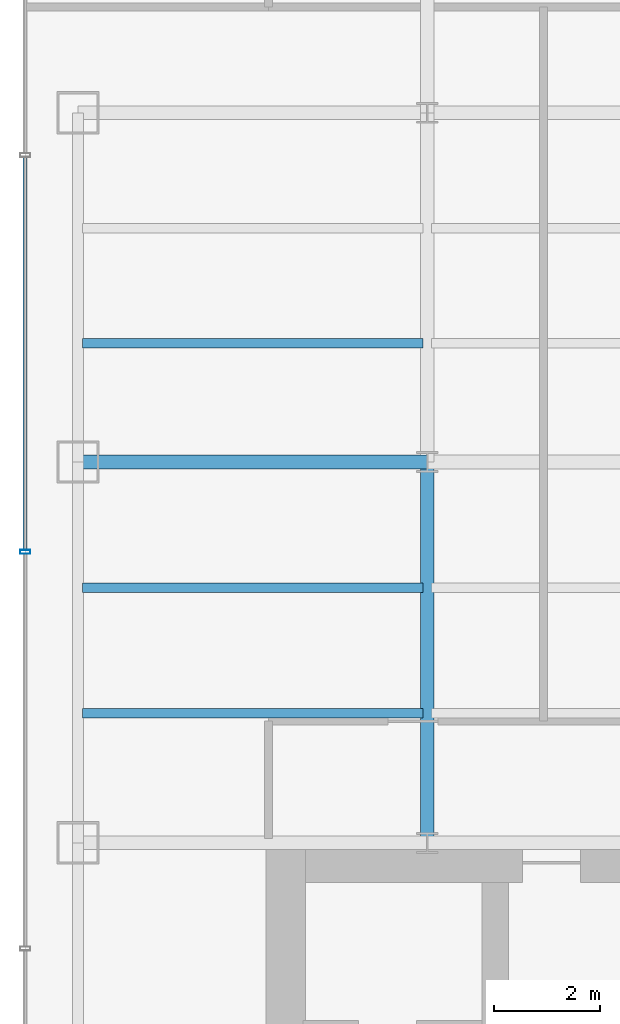
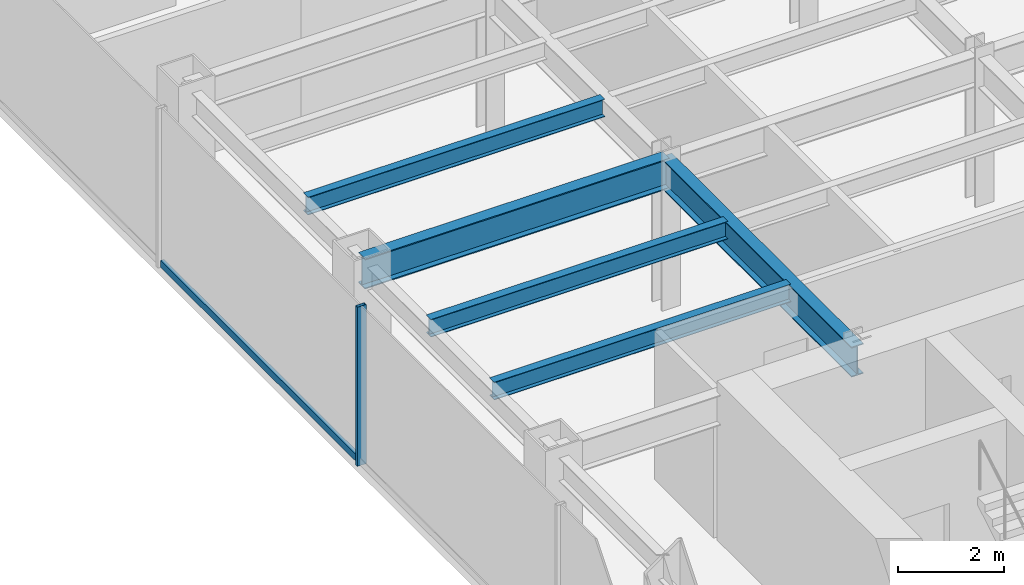
# One storey, part 4 of 26: 5 beams, 2 members, 1 element without a shape of its own.
"""IFC4 building model written with IfcOpenShell, lengths in metres."""

from ifc_helpers import new_model, si_unit, derived_unit, direction, frame, origin, origin_2d, place, context, subcontext, project, spatial, hollow_rectangle, i_section, extrude, source, transform, mapped, material, material_profile, profile_set, type_object, element, aggregate, save


model = new_model("IFC4")

# Units and contexts
model_context = context("Model", 3, precision=1e-05, world=origin(), true_north=direction((0.0, 1.0)))
body_context = subcontext(model_context, "Body", "Model", "MODEL_VIEW")
ifc_project = project(units=[si_unit("LENGTHUNIT", "METRE"), si_unit("AREAUNIT", "SQUARE_METRE"), si_unit("VOLUMEUNIT", "CUBIC_METRE"), si_unit("PLANEANGLEUNIT", "RADIAN"), si_unit("MASSUNIT", "GRAM", prefix="KILO"), derived_unit("THERMALTRANSMITTANCEUNIT", [(si_unit("POWERUNIT", "WATT"), 1), (si_unit("LENGTHUNIT", "METRE"), -2), (si_unit("THERMODYNAMICTEMPERATUREUNIT", "KELVIN"), -1)])], contexts=[model_context])

# Site, building, storey
site_placement = place(None, origin())
site = spatial("IfcSite", under=ifc_project, at=site_placement, CompositionType="ELEMENT")
building_placement = place(site_placement, origin())
building = spatial("IfcBuilding", under=site, at=building_placement, Name="Skarnbrae Concourse Arena and Tower", CompositionType="ELEMENT")
storey_placement = place(building_placement, frame((0.0, 0.0, 103.25)))
storey = spatial("IfcBuildingStorey", under=building, at=storey_placement, Name="L25", CompositionType="ELEMENT", Elevation=103.25)

# Beams
ifc_material_1 = material(Name="Steel CSA G40.21 350W", Category="steel")
ifc_material_profile_1 = material_profile(ifc_material_1, i_section(OverallWidth=0.256103515625, OverallDepth=0.693115234375, WebThickness=0.014404296875, FlangeThickness=0.023681640625, at=origin_2d()), Name="W690X170")
ifc_profile_set_1 = profile_set([ifc_material_profile_1], Name="Steel CSA G40.21 350W")
beam_type_1 = type_object("IfcBeamType", Name="BM-GIRD-W690X170", PredefinedType="BEAM", material=ifc_profile_set_1)
shared_shape_1 = source(origin(), body_context, "Body", "SweptSolid", [
    extrude(i_section(OverallWidth=0.256103515625, OverallDepth=0.693115234375, WebThickness=0.014404296875, FlangeThickness=0.023681640625, at=origin_2d()), origin(), (0.0, 0.0, 1.0), 6.60009765625),
])
beam_1_placement = place(storey_placement, frame((1.0, 21.199951171875, 3.053466796875), z_axis=(1.0, 0.0, 0.0), x_axis=(0.0, 1.0, 0.0)))
element("IfcBeam", 1, at=beam_1_placement, inside=storey, type_object=beam_type_1, Name="L25 Primary E-W girder Y21.2-1", PredefinedType="BEAM", context=body_context, shape_type="MappedRepresentation", body=[
    mapped(shared_shape_1, transform((0.0, 0.0, 0.0))),
])
shared_shape_2 = source(origin(), body_context, "Body", "SweptSolid", [
    extrude(i_section(OverallWidth=0.256103515625, OverallDepth=0.693115234375, WebThickness=0.014404296875, FlangeThickness=0.023681640625, at=origin_2d()), origin(), (0.0, 0.0, 1.0), 7.199951171875),
])
beam_2_placement = place(storey_placement, frame((7.60009765625, 14.0, 3.053466796875), z_axis=(0.0, 1.0, 0.0), x_axis=(-1.0, 0.0, 0.0)))
element("IfcBeam", 2, at=beam_2_placement, inside=storey, type_object=beam_type_1, Name="L25 Primary N-S girder X7.6-1", PredefinedType="BEAM", context=body_context, shape_type="MappedRepresentation", body=[
    mapped(shared_shape_2, transform((0.0, 0.0, 0.0))),
])
ifc_material_profile_2 = material_profile(ifc_material_1, i_section(OverallWidth=0.177978515625, OverallDepth=0.406982421875, WebThickness=0.0078125, FlangeThickness=0.0126953125, at=origin_2d()), Name="W410X60")
ifc_profile_set_2 = profile_set([ifc_material_profile_2], Name="Steel CSA G40.21 350W")
beam_type_2 = type_object("IfcBeamType", Name="BM-JOIST-W410X60", PredefinedType="JOIST", material=ifc_profile_set_2)
shared_shape_3 = source(origin(), body_context, "Body", "SweptSolid", [
    extrude(i_section(OverallWidth=0.177978515625, OverallDepth=0.406982421875, WebThickness=0.0078125, FlangeThickness=0.0126953125, at=origin_2d()), origin(), (0.0, 0.0, 1.0), 6.43994140625),
])
for number, where, z_axis, x_axis, name in (
    (3, (1.080078125, 16.447998046875, 3.196533203125), (1.0, 0.0, 0.0), (0.0, 1.0, 0.0), "L25 Secondary floor joist 1.1.1"),
    (4, (1.080078125, 18.823974609375, 3.196533203125), (1.0, 0.0, 0.0), (0.0, 1.0, 0.0), "L25 Secondary floor joist 1.2.1"),
    (5, (1.080078125, 23.444091796875, 3.196533203125), (1.0, 0.0, 0.0), (0.0, 1.0, 0.0), "L25 Secondary floor joist 2.1.1"),
):
    element("IfcBeam", number, at=place(storey_placement, frame(where, z_axis=z_axis, x_axis=x_axis)), inside=storey, type_object=beam_type_2, Name=name, PredefinedType="JOIST", context=body_context, shape_type="MappedRepresentation", body=[
        mapped(shared_shape_3, transform((0.0, 0.0, 0.0))),
    ])

# Curtain wall, members
ifc_material_2 = material(Name="Bronze anodised aluminium 6063-T6", Category="aluminium")
curtain_wall_type = type_object("IfcCurtainWallType", Name="CW-SYS-04-MIDZONE", PredefinedType="USERDEFINED", material=ifc_material_2)
curtain_wall_placement = place(storey_placement, origin())
curtain_wall = element("IfcCurtainWall", 6, at=curtain_wall_placement, inside=storey, type_object=curtain_wall_type, Name="L25 Unitised curtain wall CW-L25-E19", ObjectType="UNITISED CURTAIN WALL", PredefinedType="USERDEFINED")
ifc_material_profile_3 = material_profile(ifc_material_2, hollow_rectangle(XDim=0.074951171875, YDim=0.159912109375, WallThickness=0.00439453125, at=origin_2d()), Name="ALU-TRAN-75X160")
ifc_profile_set_3 = profile_set([ifc_material_profile_3], Name="Bronze anodised aluminium 6063-T6")
member_type_1 = type_object("IfcMemberType", Name="CWT-CW-04", PredefinedType="USERDEFINED", material=ifc_profile_set_3)
shared_shape_4 = source(origin(), body_context, "Body", "SweptSolid", [
    extrude(hollow_rectangle(XDim=0.074951171875, YDim=0.159912109375, WallThickness=0.00439453125, at=origin_2d()), origin(), (0.0, 0.0, 1.0), 7.4248046875),
])
member_1_placement = place(storey_placement, frame((0.0, 26.96240234375, 0.080078125), z_axis=(0.0, -1.0, 0.0), x_axis=(1.0, 0.0, 0.0)))
member_1 = element("IfcMember", 7, at=member_1_placement, type_object=member_type_1, Name="CW-L25-E19 Transom 2", ObjectType="TRANSOM", PredefinedType="USERDEFINED", context=body_context, shape_type="MappedRepresentation", body=[
    mapped(shared_shape_4, transform((0.0, 0.0, 0.0))),
])
ifc_material_profile_4 = material_profile(ifc_material_2, hollow_rectangle(XDim=0.074951171875, YDim=0.195068359375, WallThickness=0.00439453125, at=origin_2d()), Name="ALU-MULL-75X195")
ifc_profile_set_4 = profile_set([ifc_material_profile_4], Name="Bronze anodised aluminium 6063-T6")
member_type_2 = type_object("IfcMemberType", Name="CWM-CW-04", PredefinedType="MULLION", material=ifc_profile_set_4)
shared_shape_5 = source(origin(), body_context, "Body", "SweptSolid", [
    extrude(hollow_rectangle(XDim=0.074951171875, YDim=0.195068359375, WallThickness=0.00439453125, at=origin_2d()), origin(), (0.0, 0.0, 1.0), 3.64990234375),
])
member_2_placement = place(storey_placement, frame((0.0, 19.5, 0.0), z_axis=(0.0, 0.0, 1.0), x_axis=(0.0, -1.0, 0.0)))
member_2 = element("IfcMember", 8, at=member_2_placement, type_object=member_type_2, Name="CW-L25-E19 Mullion 3", PredefinedType="MULLION", context=body_context, shape_type="MappedRepresentation", body=[
    mapped(shared_shape_5, transform((0.0, 0.0, 0.0))),
])
aggregate(curtain_wall, [member_2, member_1])

save(model, "model.ifc")
